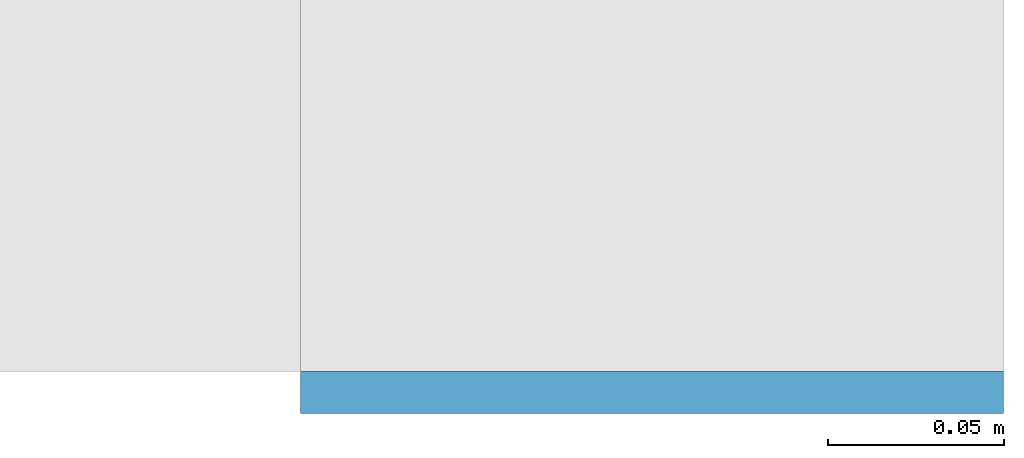
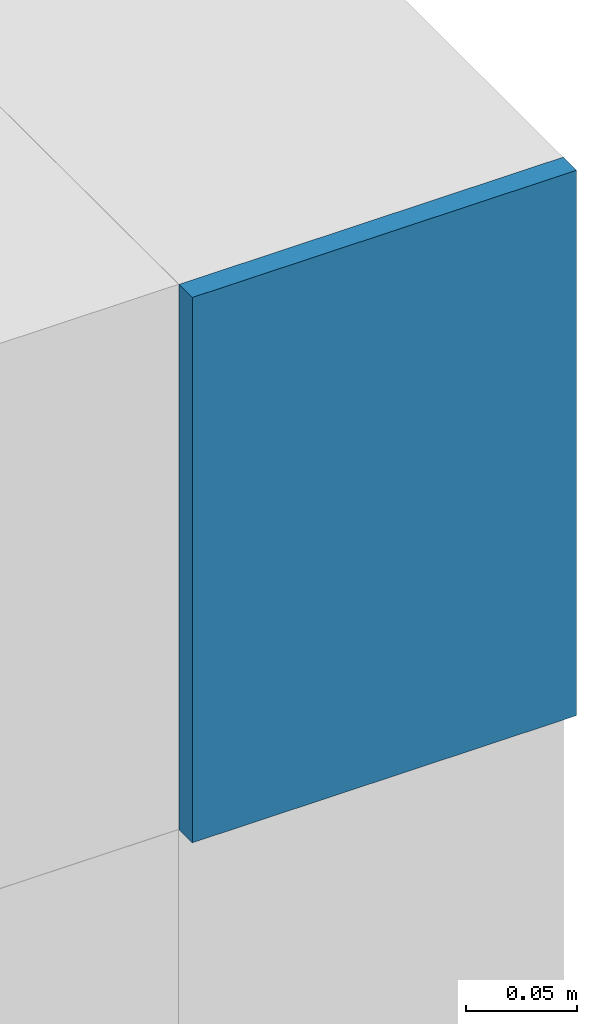
# One storey, part 212 of 646: 1 discrete accessory.
"""IFC4 building model written with IfcOpenShell, lengths in metres."""

from ifc_helpers import new_model, si_unit, direction, frame, origin, origin_2d, place, context, subcontext, project, spatial, rectangle, extrude, material, layer, layer_set, type_object, element, save


model = new_model("IFC4")

# Units and contexts
model_context = context("Model", 3, precision=1e-05, world=origin(), true_north=direction((0.0, 1.0)))
body_context = subcontext(model_context, "Body", "Model", "MODEL_VIEW")
ifc_project = project(units=[si_unit("LENGTHUNIT", "METRE"), si_unit("AREAUNIT", "SQUARE_METRE"), si_unit("VOLUMEUNIT", "CUBIC_METRE"), si_unit("PLANEANGLEUNIT", "RADIAN"), si_unit("MASSUNIT", "GRAM", prefix="KILO")], contexts=[model_context])

# Site, building, storey
site_placement = place(None, origin())
site = spatial("IfcSite", under=ifc_project, at=site_placement, CompositionType="ELEMENT")
building_placement = place(site_placement, origin())
building = spatial("IfcBuilding", under=site, at=building_placement, Name="Silverbay Arena", CompositionType="ELEMENT")
storey_placement = place(building_placement, frame((0.0, 0.0, 33.5)))
storey = spatial("IfcBuildingStorey", under=building, at=storey_placement, Name="L05", CompositionType="ELEMENT", Elevation=33.5)

# Discrete accessory
ifc_material = material(Name="Steel S355", Category="steel")
ifc_layer = layer(ifc_material, 0.011962890625)
ifc_layer_set = layer_set([ifc_layer], Name="Steel S355")
discrete_accessory_type = type_object("IfcDiscreteAccessoryType", Name="Purlin end plate 12", PredefinedType="USERDEFINED", material=ifc_layer_set)
discrete_accessory_placement = place(storey_placement, frame((211.5, 8.89990234375, 13.14990234375), z_axis=(0.0, -1.0, 0.0), x_axis=(1.0, 0.0, 0.0)))
element("IfcDiscreteAccessory", 1, at=discrete_accessory_placement, inside=storey, type_object=discrete_accessory_type, Name="Purlin end plate", ObjectType="END PLATE", PredefinedType="USERDEFINED", context=body_context, shape_type="SweptSolid", body=[
    extrude(rectangle(XDim=0.199951171875, YDim=0.300048828125, at=origin_2d()), origin(), (0.0, 0.0, 1.0), 0.011962890625),
])

save(model, "model.ifc")
